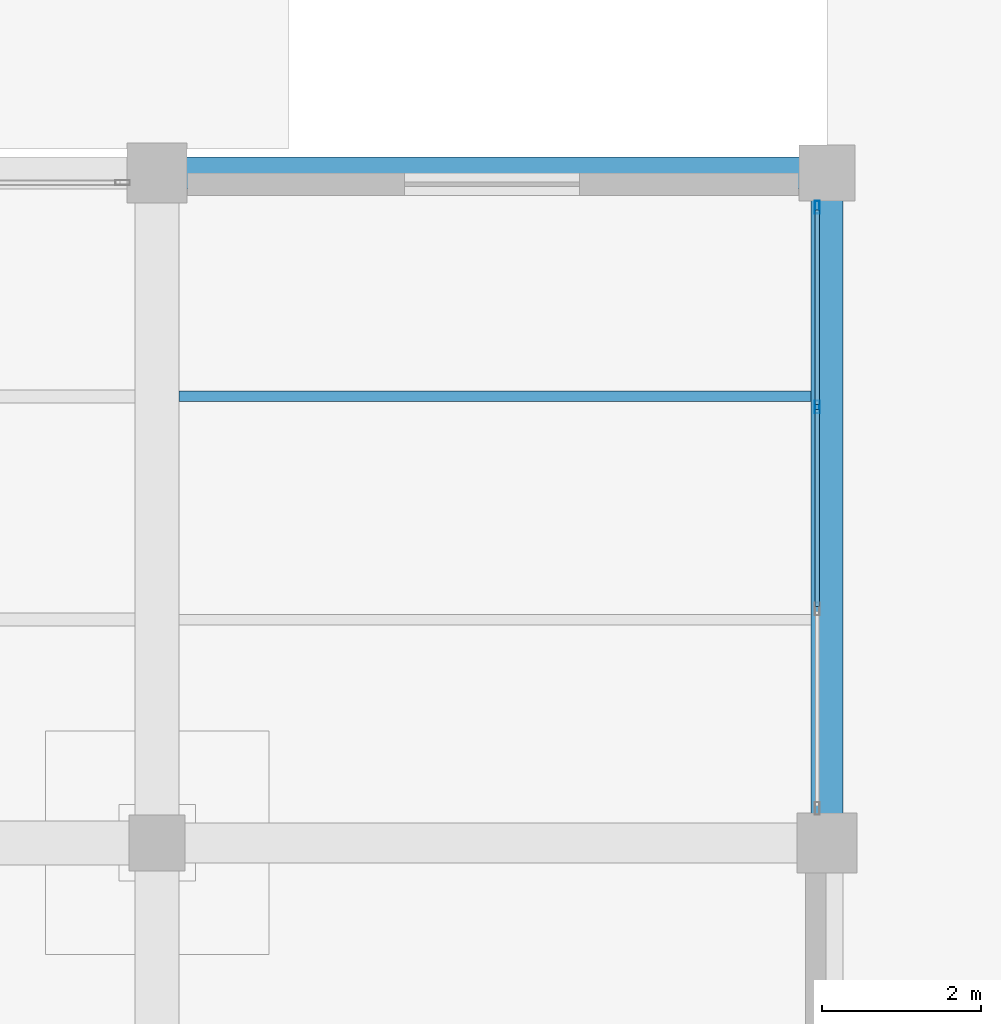
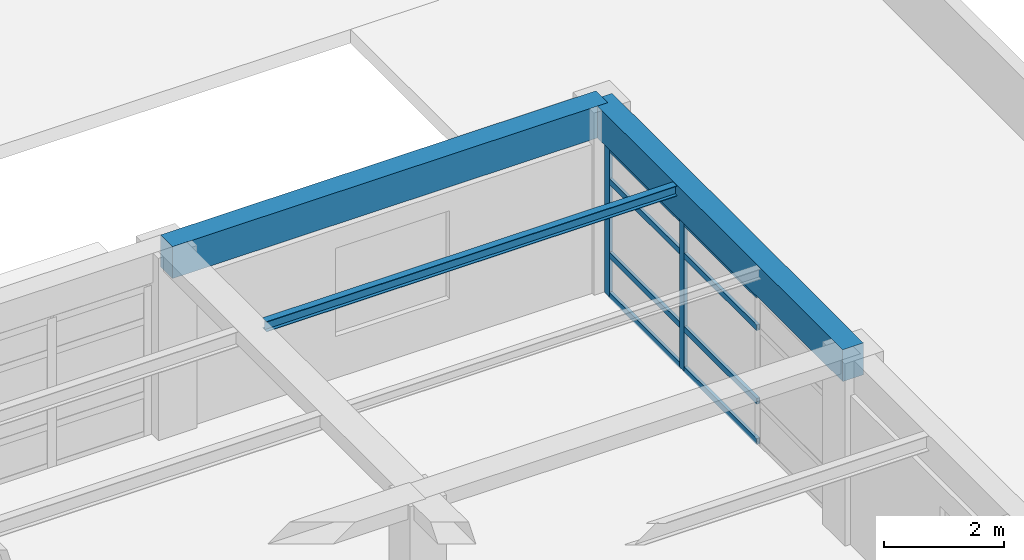
# One storey, part 26 of 35: 10 members, 3 beams, 1 element without a shape of its own.
"""IFC4 building model written with IfcOpenShell, lengths in metres."""

from ifc_helpers import new_model, si_unit, direction, frame, origin, origin_2d, place, context, subcontext, project, spatial, rectangle, hollow_rectangle, i_section, extrude, material, material_profile, profile_set, type_object, element, aggregate, save


model = new_model("IFC4")

# Units and contexts
model_context = context("Model", 3, precision=1e-05, world=origin(), true_north=direction((0.0, 1.0)))
body_context = subcontext(model_context, "Body", "Model", "MODEL_VIEW")
ifc_project = project(units=[si_unit("LENGTHUNIT", "METRE"), si_unit("AREAUNIT", "SQUARE_METRE"), si_unit("VOLUMEUNIT", "CUBIC_METRE"), si_unit("PLANEANGLEUNIT", "RADIAN"), si_unit("MASSUNIT", "GRAM", prefix="KILO")], contexts=[model_context])

# Site, building, storey
site_placement = place(None, origin())
site = spatial("IfcSite", under=ifc_project, at=site_placement, CompositionType="ELEMENT")
building_placement = place(site_placement, origin())
building = spatial("IfcBuilding", under=site, at=building_placement, Name="Almacenes y Pasaje Nevantli", CompositionType="ELEMENT")
storey_placement = place(building_placement, frame((0.0, 0.0, 26.699951171875)))
storey = spatial("IfcBuildingStorey", under=building, at=storey_placement, Name="L06", CompositionType="ELEMENT", Elevation=26.699951171875)

# Beams
ifc_material_1 = material(Name="Concrete C35/45", Category="concrete")
ifc_material_profile_1 = material_profile(ifc_material_1, rectangle(XDim=0.39990234375, YDim=0.64990234375, at=origin_2d()), Name="RC-BM-400x650")
ifc_profile_set_1 = profile_set([ifc_material_profile_1], Name="Concrete C35/45")
beam_type_1 = type_object("IfcBeamType", Name="BM-RC-400x650", PredefinedType="SPANDREL", material=ifc_profile_set_1)
for number, where, z_axis, x_axis, name in (
    (1, (151.199951171875, 100.800048828125, 3.39501953125), (1.0, 0.0, 0.0), (0.0, 1.0, 0.0), "L06 East-West Reinforced Concrete Beam #3602"),
    (2, (159.60009765625, 92.39990234375, 3.39501953125), (0.0, 1.0, 0.0), (-1.0, 0.0, 0.0), "L06 North-South Reinforced Concrete Beam #3628"),
):
    element("IfcBeam", number, at=place(storey_placement, frame(where, z_axis=z_axis, x_axis=x_axis)), inside=storey, type_object=beam_type_1, Name=name, PredefinedType="SPANDREL", context=body_context, shape_type="SweptSolid", body=[
        extrude(rectangle(XDim=0.39990234375, YDim=0.64990234375, at=origin_2d()), origin(), (0.0, 0.0, 1.0), 8.400146484375),
    ])
ifc_material_2 = material(Name="Steel ASTM A992", Category="steel")
ifc_material_profile_2 = material_profile(ifc_material_2, i_section(OverallWidth=0.134033203125, OverallDepth=0.2099609375, WebThickness=0.00634765625, FlangeThickness=0.01025390625, at=origin_2d()), Name="IR 203x31.3")
ifc_profile_set_2 = profile_set([ifc_material_profile_2], Name="Steel ASTM A992")
beam_type_2 = type_object("IfcBeamType", Name="BM-STL-IR-203x31p3", PredefinedType="JOIST", material=ifc_profile_set_2)
beam_placement = place(storey_placement, frame((151.47509765625, 98.0, 3.60693359375), z_axis=(1.0, 0.0, 0.0), x_axis=(0.0, 1.0, 0.0)))
element("IfcBeam", 3, at=beam_placement, inside=storey, type_object=beam_type_2, Name="L06 Secondary Steel Floor Joist #1386", PredefinedType="JOIST", context=body_context, shape_type="SweptSolid", body=[
    extrude(i_section(OverallWidth=0.134033203125, OverallDepth=0.2099609375, WebThickness=0.00634765625, FlangeThickness=0.01025390625, at=origin_2d()), origin(), (0.0, 0.0, 1.0), 7.9248046875),
])

# Curtain wall, members
ifc_material_3 = material(Name="Thermally Broken Aluminium and Low-E Glass", Category="aluminium")
curtain_wall_type = type_object("IfcCurtainWallType", Name="CW-UNIT-TOWER", PredefinedType="USERDEFINED", material=ifc_material_3)
curtain_wall_placement = place(storey_placement, origin())
curtain_wall = element("IfcCurtainWall", 4, at=curtain_wall_placement, inside=storey, type_object=curtain_wall_type, Name="L06 Tower East Curtain Wall Bay 12", ObjectType="UNITIZED CURTAIN WALL", PredefinedType="USERDEFINED")
ifc_material_4 = material(Name="Thermally Broken Anodized Aluminium", Category="aluminium")
ifc_material_profile_3 = material_profile(ifc_material_4, hollow_rectangle(XDim=0.06005859375, YDim=0.159912109375, WallThickness=0.00390625, at=origin_2d()), Name="ALU-MUL-60x160")
ifc_profile_set_3 = profile_set([ifc_material_profile_3], Name="Thermally Broken Anodized Aluminium")
member_type_1 = type_object("IfcMemberType", Name="CW-MUL-180", PredefinedType="MULLION", material=ifc_profile_set_3)
member_1_placement = place(storey_placement, frame((159.47998046875, 97.86669921875, 0.0), z_axis=(0.0, 0.0, 1.0), x_axis=(-1.0, 0.0, 0.0)))
member_1 = element("IfcMember", 5, at=member_1_placement, type_object=member_type_1, Name="CW-L06-110 mullion 3", PredefinedType="MULLION", context=body_context, shape_type="SweptSolid", body=[
    extrude(hollow_rectangle(XDim=0.06005859375, YDim=0.159912109375, WallThickness=0.00390625, at=origin_2d()), origin(), (0.0, 0.0, 1.0), 3.0400390625),
])
member_2_placement = place(storey_placement, frame((159.47998046875, 100.3701171875, 0.0), z_axis=(0.0, 0.0, 1.0), x_axis=(-1.0, 0.0, 0.0)))
member_2 = element("IfcMember", 6, at=member_2_placement, type_object=member_type_1, Name="CW-L06-110 mullion 4", PredefinedType="MULLION", context=body_context, shape_type="SweptSolid", body=[
    extrude(hollow_rectangle(XDim=0.06005859375, YDim=0.159912109375, WallThickness=0.00390625, at=origin_2d()), origin(), (0.0, 0.0, 1.0), 3.0400390625),
])
ifc_material_5 = material(Name="Thermally Broken Anodized Aluminium", Category="aluminium")
ifc_material_profile_4 = material_profile(ifc_material_5, hollow_rectangle(XDim=0.06005859375, YDim=0.1201171875, WallThickness=0.00341796875, at=origin_2d()), Name="ALU-TRN-60x120")
ifc_profile_set_4 = profile_set([ifc_material_profile_4], Name="Thermally Broken Anodized Aluminium")
member_type_2 = type_object("IfcMemberType", Name="CW-TRN-130", PredefinedType="USERDEFINED", material=ifc_profile_set_4)
member_3_placement = place(storey_placement, frame((159.47998046875, 95.36328125, 0.030029296875), z_axis=(0.0, 1.0, 0.0), x_axis=(-1.0, 0.0, 0.0)))
member_3 = element("IfcMember", 7, at=member_3_placement, type_object=member_type_2, Name="CW-L06-110 transom 2.1", ObjectType="TRANSOM", PredefinedType="USERDEFINED", context=body_context, shape_type="SweptSolid", body=[
    extrude(hollow_rectangle(XDim=0.06005859375, YDim=0.1201171875, WallThickness=0.00341796875, at=origin_2d()), origin(), (0.0, 0.0, 1.0), 2.473388671875),
])
member_4_placement = place(storey_placement, frame((159.47998046875, 95.36328125, 0.85009765625), z_axis=(0.0, 1.0, 0.0), x_axis=(-1.0, 0.0, 0.0)))
member_4 = element("IfcMember", 8, at=member_4_placement, type_object=member_type_2, Name="CW-L06-110 transom 2.2", ObjectType="TRANSOM", PredefinedType="USERDEFINED", context=body_context, shape_type="SweptSolid", body=[
    extrude(hollow_rectangle(XDim=0.06005859375, YDim=0.1201171875, WallThickness=0.00341796875, at=origin_2d()), origin(), (0.0, 0.0, 1.0), 2.473388671875),
])
member_5_placement = place(storey_placement, frame((159.47998046875, 95.36328125, 2.35009765625), z_axis=(0.0, 1.0, 0.0), x_axis=(-1.0, 0.0, 0.0)))
member_5 = element("IfcMember", 9, at=member_5_placement, type_object=member_type_2, Name="CW-L06-110 transom 2.3", ObjectType="TRANSOM", PredefinedType="USERDEFINED", context=body_context, shape_type="SweptSolid", body=[
    extrude(hollow_rectangle(XDim=0.06005859375, YDim=0.1201171875, WallThickness=0.00341796875, at=origin_2d()), origin(), (0.0, 0.0, 1.0), 2.473388671875),
])
member_6_placement = place(storey_placement, frame((159.47998046875, 95.36328125, 3.010009765625), z_axis=(0.0, 1.0, 0.0), x_axis=(-1.0, 0.0, 0.0)))
member_6 = element("IfcMember", 10, at=member_6_placement, type_object=member_type_2, Name="CW-L06-110 transom 2.4", ObjectType="TRANSOM", PredefinedType="USERDEFINED", context=body_context, shape_type="SweptSolid", body=[
    extrude(hollow_rectangle(XDim=0.06005859375, YDim=0.1201171875, WallThickness=0.00341796875, at=origin_2d()), origin(), (0.0, 0.0, 1.0), 2.473388671875),
])
member_7_placement = place(storey_placement, frame((159.47998046875, 97.896728515625, 0.030029296875), z_axis=(0.0, 1.0, 0.0), x_axis=(-1.0, 0.0, 0.0)))
member_7 = element("IfcMember", 11, at=member_7_placement, type_object=member_type_2, Name="CW-L06-110 transom 3.1", ObjectType="TRANSOM", PredefinedType="USERDEFINED", context=body_context, shape_type="SweptSolid", body=[
    extrude(hollow_rectangle(XDim=0.06005859375, YDim=0.1201171875, WallThickness=0.00341796875, at=origin_2d()), origin(), (0.0, 0.0, 1.0), 2.443359375),
])
member_8_placement = place(storey_placement, frame((159.47998046875, 97.896728515625, 0.85009765625), z_axis=(0.0, 1.0, 0.0), x_axis=(-1.0, 0.0, 0.0)))
member_8 = element("IfcMember", 12, at=member_8_placement, type_object=member_type_2, Name="CW-L06-110 transom 3.2", ObjectType="TRANSOM", PredefinedType="USERDEFINED", context=body_context, shape_type="SweptSolid", body=[
    extrude(hollow_rectangle(XDim=0.06005859375, YDim=0.1201171875, WallThickness=0.00341796875, at=origin_2d()), origin(), (0.0, 0.0, 1.0), 2.443359375),
])
member_9_placement = place(storey_placement, frame((159.47998046875, 97.896728515625, 2.35009765625), z_axis=(0.0, 1.0, 0.0), x_axis=(-1.0, 0.0, 0.0)))
member_9 = element("IfcMember", 13, at=member_9_placement, type_object=member_type_2, Name="CW-L06-110 transom 3.3", ObjectType="TRANSOM", PredefinedType="USERDEFINED", context=body_context, shape_type="SweptSolid", body=[
    extrude(hollow_rectangle(XDim=0.06005859375, YDim=0.1201171875, WallThickness=0.00341796875, at=origin_2d()), origin(), (0.0, 0.0, 1.0), 2.443359375),
])
member_10_placement = place(storey_placement, frame((159.47998046875, 97.896728515625, 3.010009765625), z_axis=(0.0, 1.0, 0.0), x_axis=(-1.0, 0.0, 0.0)))
member_10 = element("IfcMember", 14, at=member_10_placement, type_object=member_type_2, Name="CW-L06-110 transom 3.4", ObjectType="TRANSOM", PredefinedType="USERDEFINED", context=body_context, shape_type="SweptSolid", body=[
    extrude(hollow_rectangle(XDim=0.06005859375, YDim=0.1201171875, WallThickness=0.00341796875, at=origin_2d()), origin(), (0.0, 0.0, 1.0), 2.443359375),
])
aggregate(curtain_wall, [member_1, member_2, member_3, member_4, member_5, member_6, member_7, member_8, member_9, member_10])

save(model, "model.ifc")
